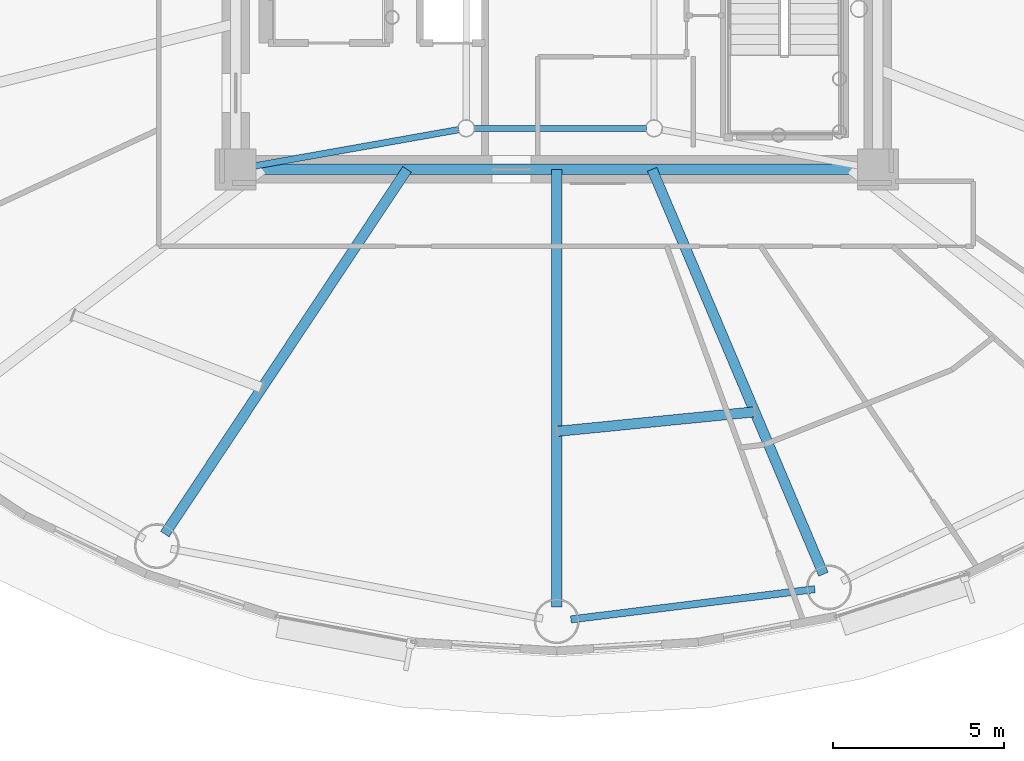
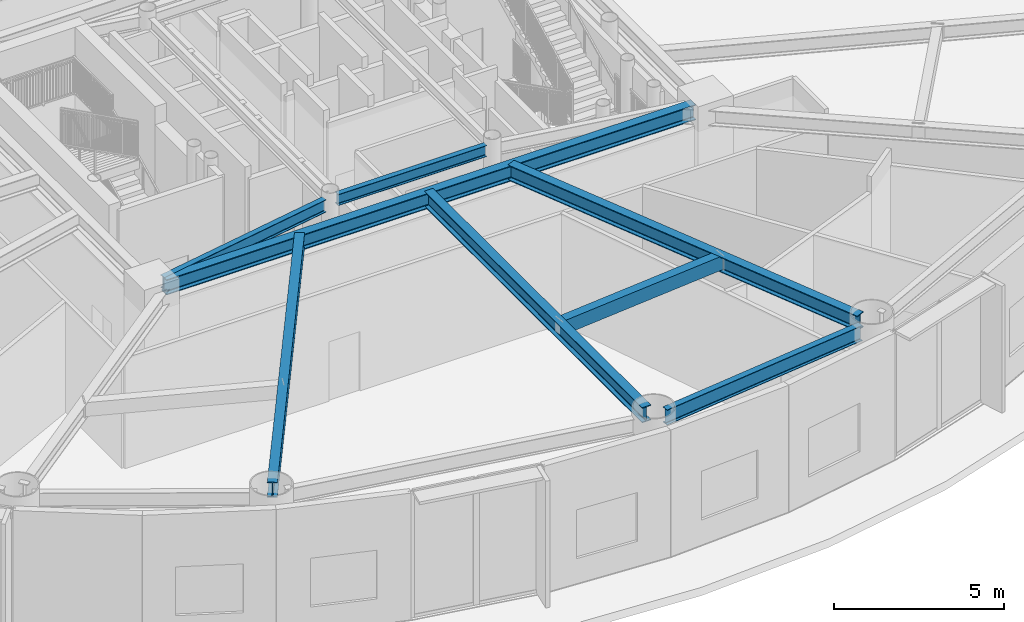
# One storey, part 7 of 38: 8 beams.
"""IFC4 building model written with IfcOpenShell, lengths in metres."""

from ifc_helpers import new_model, si_unit, direction, frame, origin, origin_2d, place, context, subcontext, project, spatial, hollow_rectangle, i_section, extrude, material, material_profile, profile_set, type_object, element, save


model = new_model("IFC4")

# Units and contexts
model_context = context("Model", 3, precision=1e-05, world=origin(), true_north=direction((0.0, 1.0)))
body_context = subcontext(model_context, "Body", "Model", "MODEL_VIEW")
ifc_project = project(units=[si_unit("LENGTHUNIT", "METRE"), si_unit("AREAUNIT", "SQUARE_METRE"), si_unit("VOLUMEUNIT", "CUBIC_METRE"), si_unit("PLANEANGLEUNIT", "RADIAN"), si_unit("MASSUNIT", "GRAM", prefix="KILO")], contexts=[model_context])

# Site, building, storey
site_placement = place(None, origin())
site = spatial("IfcSite", under=ifc_project, at=site_placement, CompositionType="ELEMENT")
building_placement = place(site_placement, origin())
building = spatial("IfcBuilding", under=site, at=building_placement, Name="Linh Dai School and Residence Tower", CompositionType="ELEMENT")
storey_placement = place(building_placement, frame((0.0, 0.0, 151.35009765625)))
storey = spatial("IfcBuildingStorey", under=building, at=storey_placement, Name="L36", CompositionType="ELEMENT", Elevation=151.35009765625)

# Beams
ifc_material = material(Name="Structural Steel S355JR", Category="steel")
ifc_material_profile_1 = material_profile(ifc_material, hollow_rectangle(XDim=0.300048828125, YDim=0.5, WallThickness=0.01611328125, at=origin_2d()), Name="RHS 500x300x16")
ifc_profile_set_1 = profile_set([ifc_material_profile_1], Name="Structural Steel S355JR")
beam_type_1 = type_object("IfcBeamType", Name="BM-BX5", PredefinedType="BEAM", material=ifc_profile_set_1)
beam_1_placement = place(storey_placement, frame((36.0048828125, 12.72705078125, 4.2998046875), z_axis=(0.995143022353, 0.098439651878, 0.0), x_axis=(-0.098439651878, 0.995143022353, 0.0)))
element("IfcBeam", 1, at=beam_1_placement, inside=storey, type_object=beam_type_1, Name="L36 Secondary Circumferential Floor Beam 07", PredefinedType="BEAM", context=body_context, shape_type="SweptSolid", body=[
    extrude(hollow_rectangle(XDim=0.300048828125, YDim=0.5, WallThickness=0.01611328125, at=origin_2d()), origin(), (0.0, 0.0, 1.0), 5.81591796875),
])
ifc_material_profile_2 = material_profile(ifc_material, i_section(OverallWidth=0.2099609375, OverallDepth=0.550048828125, WebThickness=0.010986328125, FlangeThickness=0.01708984375, FilletRadius=0.02392578125, at=origin_2d()), Name="IPE 550")
ifc_profile_set_2 = profile_set([ifc_material_profile_2], Name="Structural Steel S355JR")
beam_type_2 = type_object("IfcBeamType", Name="BM-RB55", PredefinedType="BEAM", material=ifc_profile_set_2)
beam_2_placement = place(storey_placement, frame((36.416748046875, 7.2216796875, 4.27490234375), z_axis=(0.992400597975, 0.123048986741, 0.0), x_axis=(-0.123048986741, 0.992400597975, 0.0)))
element("IfcBeam", 2, at=beam_2_placement, inside=storey, type_object=beam_type_2, Name="L36 Perimeter Elliptical Ring Beam 13", PredefinedType="BEAM", context=body_context, shape_type="SweptSolid", body=[
    extrude(i_section(OverallWidth=0.2099609375, OverallDepth=0.550048828125, WebThickness=0.010986328125, FlangeThickness=0.01708984375, FilletRadius=0.02392578125, at=origin_2d()), origin(), (0.0, 0.0, 1.0), 7.1943359375),
])
ifc_material_profile_3 = material_profile(ifc_material, i_section(OverallWidth=0.300048828125, OverallDepth=0.550048828125, WebThickness=0.014892578125, FlangeThickness=0.029052734375, FilletRadius=0.027099609375, at=origin_2d()), Name="HEB 550")
ifc_profile_set_3 = profile_set([ifc_material_profile_3], Name="Structural Steel S355JR")
beam_type_3 = type_object("IfcBeamType", Name="BM-RG55", PredefinedType="BEAM", material=ifc_profile_set_3)
beam_3_placement = place(storey_placement, frame((27.02001953125, 20.39990234375, 4.27490234375), z_axis=(1.0, 0.0, 0.0), x_axis=(0.0, 1.0, 0.0)))
element("IfcBeam", 3, at=beam_3_placement, inside=storey, type_object=beam_type_3, Name="L36 Core Perimeter Coupling Girder 1", PredefinedType="BEAM", context=body_context, shape_type="SweptSolid", body=[
    extrude(i_section(OverallWidth=0.300048828125, OverallDepth=0.550048828125, WebThickness=0.014892578125, FlangeThickness=0.029052734375, FilletRadius=0.027099609375, at=origin_2d()), origin(), (0.0, 0.0, 1.0), 17.9599609375),
])
beam_4_placement = place(storey_placement, frame((31.6181640625, 20.39990234375, 4.27490234375), z_axis=(-0.553117176317, -0.833103468522, 0.0), x_axis=(0.833103468522, -0.553117176317, 0.0)))
element("IfcBeam", 4, at=beam_4_placement, inside=storey, type_object=beam_type_3, Name="L36 Primary Radial Floor Girder 12", PredefinedType="BEAM", context=body_context, shape_type="SweptSolid", body=[
    extrude(i_section(OverallWidth=0.300048828125, OverallDepth=0.550048828125, WebThickness=0.014892578125, FlangeThickness=0.029052734375, FilletRadius=0.027099609375, at=origin_2d()), origin(), (0.0, 0.0, 1.0), 12.820556640625),
])
beam_5_placement = place(storey_placement, frame((36.0, 20.39990234375, 4.27490234375), z_axis=(0.0, -1.0, 0.0), x_axis=(1.0, 0.0, 0.0)))
element("IfcBeam", 5, at=beam_5_placement, inside=storey, type_object=beam_type_3, Name="L36 Primary Radial Floor Girder 13", PredefinedType="BEAM", context=body_context, shape_type="SweptSolid", body=[
    extrude(i_section(OverallWidth=0.300048828125, OverallDepth=0.550048828125, WebThickness=0.014892578125, FlangeThickness=0.029052734375, FilletRadius=0.027099609375, at=origin_2d()), origin(), (0.0, 0.0, 1.0), 12.809814453125),
])
beam_6_placement = place(storey_placement, frame((38.79296875, 20.39990234375, 4.27490234375), z_axis=(0.389721661447, -0.920932693849, 0.0), x_axis=(0.920932693849, 0.389721661447, 0.0)))
element("IfcBeam", 6, at=beam_6_placement, inside=storey, type_object=beam_type_3, Name="L36 Primary Radial Floor Girder 14", PredefinedType="BEAM", context=body_context, shape_type="SweptSolid", body=[
    extrude(i_section(OverallWidth=0.300048828125, OverallDepth=0.550048828125, WebThickness=0.014892578125, FlangeThickness=0.029052734375, FilletRadius=0.027099609375, at=origin_2d()), origin(), (0.0, 0.0, 1.0), 12.872314453125),
])
ifc_material_profile_4 = material_profile(ifc_material, i_section(OverallWidth=0.179931640625, OverallDepth=0.39990234375, WebThickness=0.008544921875, FlangeThickness=0.013427734375, FilletRadius=0.02099609375, at=origin_2d()), Name="IPE 400")
ifc_profile_set_4 = profile_set([ifc_material_profile_4], Name="Structural Steel S355JR")
beam_type_4 = type_object("IfcBeamType", Name="BM-SB40", PredefinedType="BEAM", material=ifc_profile_set_4)
beam_7_placement = place(storey_placement, frame((33.573974609375, 21.60009765625, 4.349853515625), z_axis=(1.0, 0.0, 0.0), x_axis=(0.0, 1.0, 0.0)))
element("IfcBeam", 7, at=beam_7_placement, inside=storey, type_object=beam_type_4, Name="L36 Core Mast Pier Tie Beam 1", PredefinedType="BEAM", context=body_context, shape_type="SweptSolid", body=[
    extrude(i_section(OverallWidth=0.179931640625, OverallDepth=0.39990234375, WebThickness=0.008544921875, FlangeThickness=0.013427734375, FilletRadius=0.02099609375, at=origin_2d()), origin(), (0.0, 0.0, 1.0), 5.052001953125),
])
ifc_material_profile_5 = material_profile(ifc_material, i_section(OverallWidth=0.18994140625, OverallDepth=0.449951171875, WebThickness=0.009521484375, FlangeThickness=0.0146484375, FilletRadius=0.02099609375, at=origin_2d()), Name="IPE 450")
ifc_profile_set_5 = profile_set([ifc_material_profile_5], Name="Structural Steel S355JR")
beam_type_5 = type_object("IfcBeamType", Name="BM-SB45", PredefinedType="BEAM", material=ifc_profile_set_5)
beam_8_placement = place(storey_placement, frame((27.013427734375, 20.4736328125, 4.324951171875), z_axis=(0.984565969371, 0.175013862185, 0.0), x_axis=(-0.175013862185, 0.984565969371, 0.0)))
element("IfcBeam", 8, at=beam_8_placement, inside=storey, type_object=beam_type_5, Name="L36 Core Corner-to-Mast Pier Beam 1", PredefinedType="BEAM", context=body_context, shape_type="SweptSolid", body=[
    extrude(i_section(OverallWidth=0.18994140625, OverallDepth=0.449951171875, WebThickness=0.009521484375, FlangeThickness=0.0146484375, FilletRadius=0.02099609375, at=origin_2d()), origin(), (0.0, 0.0, 1.0), 6.2119140625),
])

save(model, "model.ifc")
